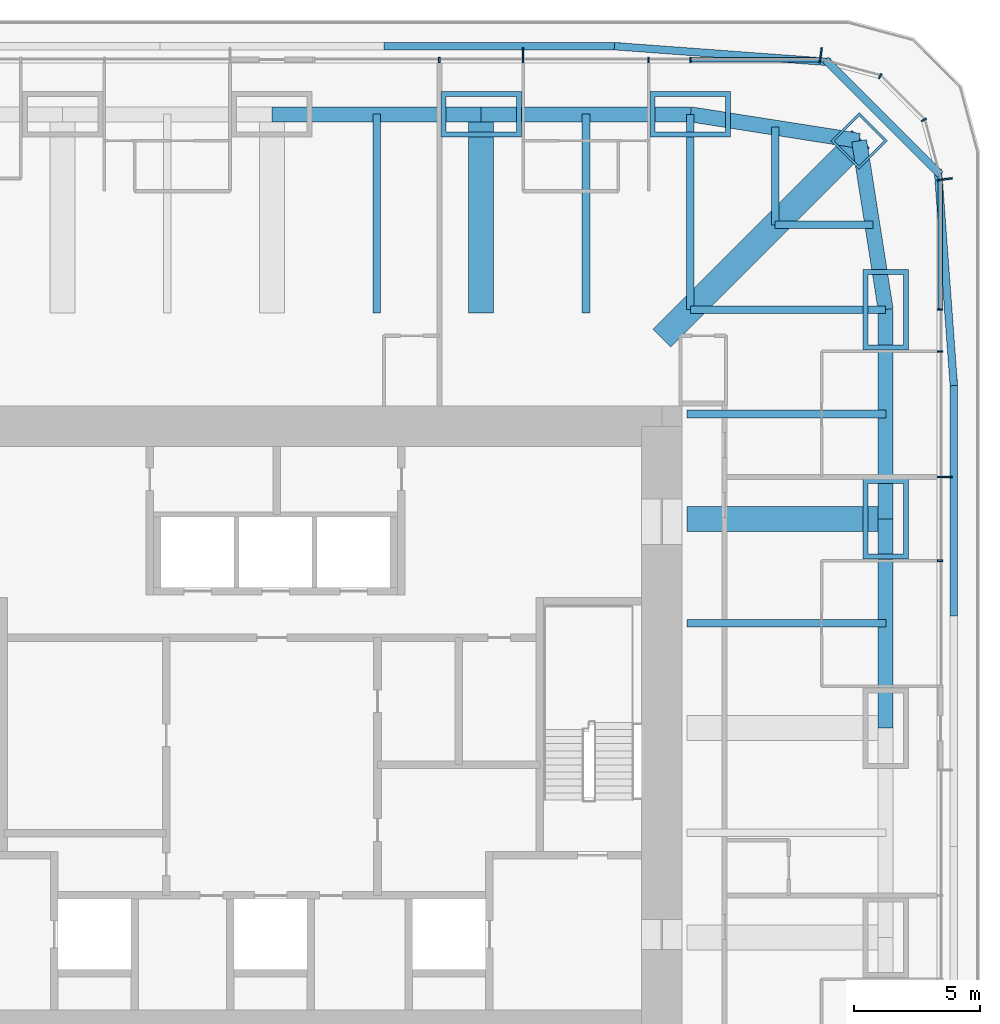
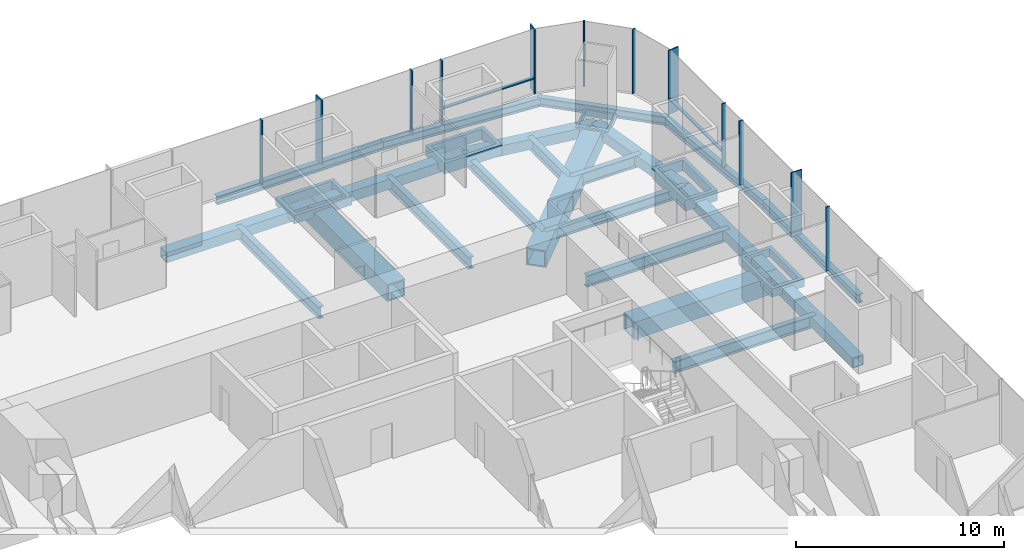
# One storey, part 6 of 15: 28 members, 13 beams, 3 elements without a shape of their own.
"""IFC4 building model written with IfcOpenShell, lengths in metres."""

from ifc_helpers import new_model, si_unit, direction, frame, origin, origin_2d, place, context, subcontext, project, spatial, rectangle, hollow_rectangle, i_section, extrude, material, material_profile, profile_set, type_object, element, aggregate, save


model = new_model("IFC4")

# Units and contexts
model_context = context("Model", 3, precision=1e-05, world=origin(), true_north=direction((0.0, 1.0)))
body_context = subcontext(model_context, "Body", "Model", "MODEL_VIEW")
ifc_project = project(units=[si_unit("LENGTHUNIT", "METRE"), si_unit("AREAUNIT", "SQUARE_METRE"), si_unit("VOLUMEUNIT", "CUBIC_METRE"), si_unit("PLANEANGLEUNIT", "RADIAN"), si_unit("MASSUNIT", "GRAM", prefix="KILO")], contexts=[model_context])

# Site, building, storey
site_placement = place(None, origin())
site = spatial("IfcSite", under=ifc_project, at=site_placement, CompositionType="ELEMENT")
building_placement = place(site_placement, origin())
building = spatial("IfcBuilding", under=site, at=building_placement, Name="Khuree Lantern Residences", CompositionType="ELEMENT")
storey_placement = place(building_placement, frame((0.0, 0.0, 199.5)))
storey = spatial("IfcBuildingStorey", under=building, at=storey_placement, Name="L49", CompositionType="ELEMENT", Elevation=199.5)

# Beams
ifc_material_1 = material(Name="Steel S355", Category="steel")
ifc_material_profile_1 = material_profile(ifc_material_1, i_section(OverallWidth=0.300048828125, OverallDepth=0.68994140625, WebThickness=0.014404296875, FlangeThickness=0.027099609375, FilletRadius=0.027099609375, at=origin_2d()), Name="HE 700 A")
ifc_profile_set_1 = profile_set([ifc_material_profile_1], Name="Steel S355")
beam_type_1 = type_object("IfcBeamType", Name="B-31 SECONDARY BEAM HE 700 A", PredefinedType="BEAM", material=ifc_profile_set_1)
for number, where, z_axis, x_axis, name in (
    (1, (4.16259765625, 24.416015625, -0.594970703125), (0.0, -1.0, 0.0), (1.0, 0.0, 0.0), "Secondary beam N3"),
    (2, (12.487548828125, 24.416015625, -0.594970703125), (0.0, -1.0, 0.0), (1.0, 0.0, 0.0), "Secondary beam N4"),
):
    element("IfcBeam", number, at=place(storey_placement, frame(where, z_axis=z_axis, x_axis=x_axis)), inside=storey, type_object=beam_type_1, Name=name, PredefinedType="BEAM", context=body_context, shape_type="SweptSolid", body=[
        extrude(i_section(OverallWidth=0.300048828125, OverallDepth=0.68994140625, WebThickness=0.014404296875, FlangeThickness=0.027099609375, FilletRadius=0.027099609375, at=origin_2d()), origin(), (0.0, 0.0, 1.0), 7.916015625),
    ])
for number, where, z_axis, x_axis, name in (
    (3, (20.005126953125, 23.88818359375, -0.594970703125), (0.0, -1.0, 0.0), (1.0, 0.0, 0.0), "Secondary beam N5"),
    (4, (23.88818359375, 20.005126953125, -0.594970703125), (-1.0, 0.0, 0.0), (0.0, -1.0, 0.0), "Secondary beam E1"),
):
    element("IfcBeam", number, at=place(storey_placement, frame(where, z_axis=z_axis, x_axis=x_axis)), inside=storey, type_object=beam_type_1, Name=name, PredefinedType="BEAM", context=body_context, shape_type="SweptSolid", body=[
        extrude(i_section(OverallWidth=0.300048828125, OverallDepth=0.68994140625, WebThickness=0.014404296875, FlangeThickness=0.027099609375, FilletRadius=0.027099609375, at=origin_2d()), origin(), (0.0, 0.0, 1.0), 3.883056640625),
    ])
for number, where, z_axis, x_axis, name in (
    (5, (24.416015625, 12.487548828125, -0.594970703125), (-1.0, 0.0, 0.0), (0.0, -1.0, 0.0), "Secondary beam E2"),
    (6, (24.416015625, 4.16259765625, -0.594970703125), (-1.0, 0.0, 0.0), (0.0, -1.0, 0.0), "Secondary beam E3"),
):
    element("IfcBeam", number, at=place(storey_placement, frame(where, z_axis=z_axis, x_axis=x_axis)), inside=storey, type_object=beam_type_1, Name=name, PredefinedType="BEAM", context=body_context, shape_type="SweptSolid", body=[
        extrude(i_section(OverallWidth=0.300048828125, OverallDepth=0.68994140625, WebThickness=0.014404296875, FlangeThickness=0.027099609375, FilletRadius=0.027099609375, at=origin_2d()), origin(), (0.0, 0.0, 1.0), 7.916015625),
    ])

# Members
ifc_material_profile_2 = material_profile(ifc_material_1, hollow_rectangle(XDim=0.60009765625, YDim=0.60009765625, WallThickness=0.050048828125, at=origin_2d()), Name="WELDED BOX 600X600X50")
ifc_profile_set_2 = profile_set([ifc_material_profile_2], Name="Steel S355")
member_type_1 = type_object("IfcMemberType", Name="BT-49 BELT TRUSS CHORD WELDED BOX 600X600X50", PredefinedType="CHORD", material=ifc_profile_set_2)
member_1_placement = place(storey_placement, frame((0.0, 24.39990234375, -0.550048828125), z_axis=(1.0, 0.0, 0.0), x_axis=(0.0, 1.0, 0.0)))
element("IfcMember", 7, at=member_1_placement, inside=storey, type_object=member_type_1, Name="Belt truss chord N3", PredefinedType="CHORD", context=body_context, shape_type="SweptSolid", body=[
    extrude(hollow_rectangle(XDim=0.60009765625, YDim=0.60009765625, WallThickness=0.050048828125, at=origin_2d()), origin(), (0.0, 0.0, 1.0), 8.320068359375),
])
member_2_placement = place(storey_placement, frame((8.320068359375, 24.39990234375, -0.550048828125), z_axis=(1.0, 0.0, 0.0), x_axis=(0.0, 1.0, 0.0)))
element("IfcMember", 8, at=member_2_placement, inside=storey, type_object=member_type_1, Name="Belt truss chord N4", PredefinedType="CHORD", context=body_context, shape_type="SweptSolid", body=[
    extrude(hollow_rectangle(XDim=0.60009765625, YDim=0.60009765625, WallThickness=0.050048828125, at=origin_2d()), origin(), (0.0, 0.0, 1.0), 8.31982421875),
])
for number, where, z_axis, x_axis, name in (
    (9, (16.639892578125, 24.39990234375, -0.550048828125), (0.98786743189, -0.155299507442, 0.0), (0.155299507442, 0.98786743189, 0.0), "Belt truss chord N5"),
    (10, (23.345703125, 23.345703125, -0.550048828125), (0.155299507442, -0.98786743189, 0.0), (0.98786743189, 0.155299507442, 0.0), "Belt truss chord E1"),
):
    element("IfcMember", number, at=place(storey_placement, frame(where, z_axis=z_axis, x_axis=x_axis)), inside=storey, type_object=member_type_1, Name=name, PredefinedType="CHORD", context=body_context, shape_type="SweptSolid", body=[
        extrude(hollow_rectangle(XDim=0.60009765625, YDim=0.60009765625, WallThickness=0.050048828125, at=origin_2d()), origin(), (0.0, 0.0, 1.0), 6.7880859375),
    ])
member_3_placement = place(storey_placement, frame((24.39990234375, 16.639892578125, -0.550048828125), z_axis=(0.0, -1.0, 0.0), x_axis=(1.0, 0.0, 0.0)))
element("IfcMember", 11, at=member_3_placement, inside=storey, type_object=member_type_1, Name="Belt truss chord E2", PredefinedType="CHORD", context=body_context, shape_type="SweptSolid", body=[
    extrude(hollow_rectangle(XDim=0.60009765625, YDim=0.60009765625, WallThickness=0.050048828125, at=origin_2d()), origin(), (0.0, 0.0, 1.0), 8.31982421875),
])
member_4_placement = place(storey_placement, frame((24.39990234375, 8.320068359375, -0.550048828125), z_axis=(0.0, -1.0, 0.0), x_axis=(1.0, 0.0, 0.0)))
element("IfcMember", 12, at=member_4_placement, inside=storey, type_object=member_type_1, Name="Belt truss chord E3", PredefinedType="CHORD", context=body_context, shape_type="SweptSolid", body=[
    extrude(hollow_rectangle(XDim=0.60009765625, YDim=0.60009765625, WallThickness=0.050048828125, at=origin_2d()), origin(), (0.0, 0.0, 1.0), 8.320068359375),
])

# Curtain wall, member
ifc_material_2 = material(Name="Bronze anodised aluminium", Category="aluminium")
curtain_wall_type_1 = type_object("IfcCurtainWallType", Name="CW-T1 TOWER FACE CURTAIN WALL", PredefinedType="USERDEFINED", material=ifc_material_2)
curtain_wall_1_placement = place(storey_placement, origin())
curtain_wall_1 = element("IfcCurtainWall", 13, at=curtain_wall_1_placement, inside=storey, type_object=curtain_wall_type_1, Name="L49 EAST FACE CURTAIN WALL", ObjectType="Stick-built curtain wall", PredefinedType="USERDEFINED")
ifc_material_profile_3 = material_profile(ifc_material_2, rectangle(XDim=0.06494140625, YDim=0.60009765625, at=origin_2d()), Name="F1 65X600")
ifc_profile_set_3 = profile_set([ifc_material_profile_3], Name="Bronze anodised aluminium")
member_type_2 = type_object("IfcMemberType", Name="F1 BRONZE FIN MULLION TOWER 65X600", PredefinedType="MULLION", material=ifc_profile_set_3)
member_5_placement = place(storey_placement, frame((26.75, 9.98388671875, 0.0), z_axis=(0.0, 0.0, 1.0), x_axis=(0.0, 1.0, 0.0)))
member_5 = element("IfcMember", 14, at=member_5_placement, type_object=member_type_2, Name="L49 EAST FACE FIN MULLION 12", PredefinedType="MULLION", context=body_context, shape_type="SweptSolid", body=[
    extrude(rectangle(XDim=0.06494140625, YDim=0.60009765625, at=origin_2d()), origin(), (0.0, 0.0, 1.0), 3.75),
])

curtain_wall_type_2 = type_object("IfcCurtainWallType", Name="CW-T2 TOWER CORNER CURTAIN WALL", PredefinedType="USERDEFINED", material=ifc_material_2)
curtain_wall_2_placement = place(storey_placement, origin())
curtain_wall_2 = element("IfcCurtainWall", 15, at=curtain_wall_2_placement, inside=storey, type_object=curtain_wall_type_2, Name="L49 NORTH-EAST CORNER CURTAIN WALL", ObjectType="Faceted corner curtain wall", PredefinedType="USERDEFINED")
member_6_placement = place(storey_placement, frame((26.75, 21.81982421875, 0.0), z_axis=(0.0, 0.0, 1.0), x_axis=(-0.130526180298, 0.991444862943, 0.0)))
member_6 = element("IfcMember", 16, at=member_6_placement, type_object=member_type_2, Name="L49 NORTH-EAST CORNER FIN MULLION 15", PredefinedType="MULLION", context=body_context, shape_type="SweptSolid", body=[
    extrude(rectangle(XDim=0.06494140625, YDim=0.60009765625, at=origin_2d()), origin(), (0.0, 0.0, 1.0), 3.75),
])

# Curtain wall, members
curtain_wall_3_placement = place(storey_placement, origin())
curtain_wall_3 = element("IfcCurtainWall", 17, at=curtain_wall_3_placement, inside=storey, type_object=curtain_wall_type_1, Name="L49 NORTH FACE CURTAIN WALL", ObjectType="Stick-built curtain wall", PredefinedType="USERDEFINED")
member_7_placement = place(storey_placement, frame((21.81982421875, 26.75, 0.0), z_axis=(0.0, 0.0, 1.0), x_axis=(-0.991444862943, 0.130526180298, 0.0)))
member_7 = element("IfcMember", 18, at=member_7_placement, type_object=member_type_2, Name="L49 NORTH FACE FIN MULLION 18", PredefinedType="MULLION", context=body_context, shape_type="SweptSolid", body=[
    extrude(rectangle(XDim=0.06494140625, YDim=0.60009765625, at=origin_2d()), origin(), (0.0, 0.0, 1.0), 3.75),
])
member_8_placement = place(storey_placement, frame((9.98388671875, 26.75, 0.0), z_axis=(0.0, 0.0, 1.0), x_axis=(-1.0, 0.0, 0.0)))
member_8 = element("IfcMember", 19, at=member_8_placement, type_object=member_type_2, Name="L49 NORTH FACE FIN MULLION 21", PredefinedType="MULLION", context=body_context, shape_type="SweptSolid", body=[
    extrude(rectangle(XDim=0.06494140625, YDim=0.60009765625, at=origin_2d()), origin(), (0.0, 0.0, 1.0), 3.75),
])

# Beams
ifc_material_profile_4 = material_profile(ifc_material_1, i_section(OverallWidth=0.300048828125, OverallDepth=0.60009765625, WebThickness=0.015380859375, FlangeThickness=0.030029296875, FilletRadius=0.027099609375, at=origin_2d()), Name="HE 600 B")
ifc_profile_set_4 = profile_set([ifc_material_profile_4], Name="Steel S355")
beam_type_2 = type_object("IfcBeamType", Name="G-31 GIRDER HE 600 B", PredefinedType="BEAM", material=ifc_profile_set_4)
for number, where, z_axis, x_axis, name in (
    (20, (16.639892578125, 24.39990234375, -0.550048828125), (0.0, -1.0, 0.0), (1.0, 0.0, 0.0), "Girder N5"),
    (21, (24.39990234375, 16.639892578125, -0.550048828125), (-1.0, 0.0, 0.0), (0.0, -1.0, 0.0), "Girder E1"),
):
    element("IfcBeam", number, at=place(storey_placement, frame(where, z_axis=z_axis, x_axis=x_axis)), inside=storey, type_object=beam_type_2, Name=name, PredefinedType="BEAM", context=body_context, shape_type="SweptSolid", body=[
        extrude(i_section(OverallWidth=0.300048828125, OverallDepth=0.60009765625, WebThickness=0.015380859375, FlangeThickness=0.030029296875, FilletRadius=0.027099609375, at=origin_2d()), origin(), (0.0, 0.0, 1.0), 7.760009765625),
    ])

# Member
ifc_material_profile_5 = material_profile(ifc_material_2, rectangle(XDim=0.06494140625, YDim=0.219970703125, at=origin_2d()), Name="M1 65X220")
ifc_profile_set_5 = profile_set([ifc_material_profile_5], Name="Bronze anodised aluminium")
member_type_3 = type_object("IfcMemberType", Name="M1 BRONZE MULLION TOWER 65X220", PredefinedType="MULLION", material=ifc_profile_set_5)
member_9_placement = place(storey_placement, frame((26.56005859375, 6.656005859375, 0.0), z_axis=(0.0, 0.0, 1.0), x_axis=(0.0, 1.0, 0.0)))
member_9 = element("IfcMember", 22, at=member_9_placement, type_object=member_type_3, Name="L49 EAST FACE MULLION 11", PredefinedType="MULLION", context=body_context, shape_type="SweptSolid", body=[
    extrude(rectangle(XDim=0.06494140625, YDim=0.219970703125, at=origin_2d()), origin(), (0.0, 0.0, 1.0), 3.75),
])

member_10_placement = place(storey_placement, frame((26.56005859375, 14.97607421875, 0.0), z_axis=(0.0, 0.0, 1.0), x_axis=(0.0, 1.0, 0.0)))
member_10 = element("IfcMember", 23, at=member_10_placement, type_object=member_type_3, Name="L49 EAST FACE MULLION 13", PredefinedType="MULLION", context=body_context, shape_type="SweptSolid", body=[
    extrude(rectangle(XDim=0.06494140625, YDim=0.219970703125, at=origin_2d()), origin(), (0.0, 0.0, 1.0), 3.75),
])

member_11_placement = place(storey_placement, frame((26.56005859375, 16.639892578125, 0.0), z_axis=(0.0, 0.0, 1.0), x_axis=(0.0, 1.0, 0.0)))
member_11 = element("IfcMember", 24, at=member_11_placement, type_object=member_type_3, Name="L49 EAST FACE MULLION 14", PredefinedType="MULLION", context=body_context, shape_type="SweptSolid", body=[
    extrude(rectangle(XDim=0.06494140625, YDim=0.219970703125, at=origin_2d()), origin(), (0.0, 0.0, 1.0), 3.75),
])

member_12_placement = place(storey_placement, frame((25.92236328125, 24.179931640625, 0.0), z_axis=(0.0, 0.0, 1.0), x_axis=(-0.499999989586, 0.866025409797, 0.0)))
member_12 = element("IfcMember", 25, at=member_12_placement, type_object=member_type_3, Name="L49 NORTH-EAST CORNER MULLION 16", PredefinedType="MULLION", context=body_context, shape_type="SweptSolid", body=[
    extrude(rectangle(XDim=0.06494140625, YDim=0.219970703125, at=origin_2d()), origin(), (0.0, 0.0, 1.0), 3.75),
])

member_13_placement = place(storey_placement, frame((24.179931640625, 25.92236328125, 0.0), z_axis=(0.0, 0.0, 1.0), x_axis=(-0.866025409797, 0.499999989586, 0.0)))
member_13 = element("IfcMember", 26, at=member_13_placement, type_object=member_type_3, Name="L49 NORTH-EAST CORNER MULLION 17", PredefinedType="MULLION", context=body_context, shape_type="SweptSolid", body=[
    extrude(rectangle(XDim=0.06494140625, YDim=0.219970703125, at=origin_2d()), origin(), (0.0, 0.0, 1.0), 3.75),
])

aggregate(curtain_wall_2, [member_6, member_12, member_13])

member_14_placement = place(storey_placement, frame((16.639892578125, 26.56005859375, 0.0), z_axis=(0.0, 0.0, 1.0), x_axis=(-1.0, 0.0, 0.0)))
member_14 = element("IfcMember", 27, at=member_14_placement, type_object=member_type_3, Name="L49 NORTH FACE MULLION 19", PredefinedType="MULLION", context=body_context, shape_type="SweptSolid", body=[
    extrude(rectangle(XDim=0.06494140625, YDim=0.219970703125, at=origin_2d()), origin(), (0.0, 0.0, 1.0), 3.75),
])

member_15_placement = place(storey_placement, frame((14.97607421875, 26.56005859375, 0.0), z_axis=(0.0, 0.0, 1.0), x_axis=(-1.0, 0.0, 0.0)))
member_15 = element("IfcMember", 28, at=member_15_placement, type_object=member_type_3, Name="L49 NORTH FACE MULLION 20", PredefinedType="MULLION", context=body_context, shape_type="SweptSolid", body=[
    extrude(rectangle(XDim=0.06494140625, YDim=0.219970703125, at=origin_2d()), origin(), (0.0, 0.0, 1.0), 3.75),
])

member_16_placement = place(storey_placement, frame((6.656005859375, 26.56005859375, 0.0), z_axis=(0.0, 0.0, 1.0), x_axis=(-1.0, 0.0, 0.0)))
member_16 = element("IfcMember", 29, at=member_16_placement, type_object=member_type_3, Name="L49 NORTH FACE MULLION 22", PredefinedType="MULLION", context=body_context, shape_type="SweptSolid", body=[
    extrude(rectangle(XDim=0.06494140625, YDim=0.219970703125, at=origin_2d()), origin(), (0.0, 0.0, 1.0), 3.75),
])

# Members
ifc_material_3 = material(Name="Steel S355 CFT welded box", Category="steel")
ifc_material_profile_6 = material_profile(ifc_material_3, hollow_rectangle(XDim=3.199951171875, YDim=1.800048828125, WallThickness=0.199951171875, at=origin_2d()), Name="WELDED BOX 3200X1800X200")
ifc_profile_set_6 = profile_set([ifc_material_profile_6], Name="Steel S355 CFT welded box")
member_type_4 = type_object("IfcMemberType", Name="MN MEGA COLUMN NODE WELDED BOX 3200X1800X200", PredefinedType="MEMBER", material=ifc_profile_set_6)
member_17_placement = place(storey_placement, frame((8.320068359375, 24.39990234375, -0.550048828125), z_axis=(0.0, 0.0, 1.0), x_axis=(1.0, 0.0, 0.0)))
element("IfcMember", 30, at=member_17_placement, inside=storey, type_object=member_type_4, Name="Mega column node N4", PredefinedType="MEMBER", context=body_context, shape_type="SweptSolid", body=[
    extrude(hollow_rectangle(XDim=3.199951171875, YDim=1.800048828125, WallThickness=0.199951171875, at=origin_2d()), origin(), (0.0, 0.0, 1.0), 0.47998046875),
])
for number, where, z_axis, x_axis, name in (
    (31, (16.639892578125, 24.39990234375, -0.550048828125), (0.0, 0.0, 1.0), (1.0, 0.0, 0.0), "Mega column node N5"),
    (32, (24.39990234375, 16.639892578125, -0.550048828125), (0.0, 0.0, 1.0), (0.0, 1.0, 0.0), "Mega column node E1"),
):
    element("IfcMember", number, at=place(storey_placement, frame(where, z_axis=z_axis, x_axis=x_axis)), inside=storey, type_object=member_type_4, Name=name, PredefinedType="MEMBER", context=body_context, shape_type="SweptSolid", body=[
        extrude(hollow_rectangle(XDim=3.199951171875, YDim=1.800048828125, WallThickness=0.199951171875, at=origin_2d()), origin(), (0.0, 0.0, 1.0), 0.630126953125),
    ])
member_18_placement = place(storey_placement, frame((24.39990234375, 8.320068359375, -0.550048828125), z_axis=(0.0, 0.0, 1.0), x_axis=(0.0, 1.0, 0.0)))
element("IfcMember", 33, at=member_18_placement, inside=storey, type_object=member_type_4, Name="Mega column node E2", PredefinedType="MEMBER", context=body_context, shape_type="SweptSolid", body=[
    extrude(hollow_rectangle(XDim=3.199951171875, YDim=1.800048828125, WallThickness=0.199951171875, at=origin_2d()), origin(), (0.0, 0.0, 1.0), 0.47998046875),
])
ifc_material_profile_7 = material_profile(ifc_material_3, hollow_rectangle(XDim=1.60009765625, YDim=1.60009765625, WallThickness=0.10009765625, at=origin_2d()), Name="WELDED BOX 1600X1600X100")
ifc_profile_set_7 = profile_set([ifc_material_profile_7], Name="Steel S355 CFT welded box")
member_type_5 = type_object("IfcMemberType", Name="MNA MEGA COLUMN NODE WELDED BOX 1600X1600X100", PredefinedType="MEMBER", material=ifc_profile_set_7)
member_19_placement = place(storey_placement, frame((23.345703125, 23.345703125, -0.550048828125), z_axis=(0.0, 0.0, 1.0), x_axis=(0.707106781187, -0.707106781187, 0.0)))
element("IfcMember", 34, at=member_19_placement, inside=storey, type_object=member_type_5, Name="Mega column node NE", PredefinedType="MEMBER", context=body_context, shape_type="SweptSolid", body=[
    extrude(hollow_rectangle(XDim=1.60009765625, YDim=1.60009765625, WallThickness=0.10009765625, at=origin_2d()), origin(), (0.0, 0.0, 1.0), 0.360107421875),
])
ifc_material_profile_8 = material_profile(ifc_material_1, hollow_rectangle(XDim=1.0, YDim=1.0, WallThickness=0.080078125, at=origin_2d()), Name="WELDED BOX 1000X1000X80")
ifc_profile_set_8 = profile_set([ifc_material_profile_8], Name="Steel S355")
member_type_6 = type_object("IfcMemberType", Name="OT-49 OUTRIGGER TRUSS CHORD WELDED BOX 1000X1000X80", PredefinedType="CHORD", material=ifc_profile_set_8)
for number, where, z_axis, x_axis, name in (
    (35, (8.320068359375, 24.39990234375, -0.75), (0.0, -1.0, 0.0), (1.0, 0.0, 0.0), "Outrigger chord N4"),
    (36, (24.39990234375, 8.320068359375, -0.75), (-1.0, 0.0, 0.0), (0.0, -1.0, 0.0), "Outrigger chord E2"),
):
    element("IfcMember", number, at=place(storey_placement, frame(where, z_axis=z_axis, x_axis=x_axis)), inside=storey, type_object=member_type_6, Name=name, PredefinedType="CHORD", context=body_context, shape_type="SweptSolid", body=[
        extrude(hollow_rectangle(XDim=1.0, YDim=1.0, WallThickness=0.080078125, at=origin_2d()), origin(), (0.0, 0.0, 1.0), 7.89990234375),
    ])
member_20_placement = place(storey_placement, frame((23.412109375, 23.412109375, -0.75), z_axis=(-0.707106781187, -0.707106781187, 0.0), x_axis=(0.707106781187, -0.707106781187, 0.0)))
element("IfcMember", 37, at=member_20_placement, inside=storey, type_object=member_type_6, Name="Outrigger chord NE", PredefinedType="CHORD", context=body_context, shape_type="SweptSolid", body=[
    extrude(hollow_rectangle(XDim=1.0, YDim=1.0, WallThickness=0.080078125, at=origin_2d()), origin(), (0.0, 0.0, 1.0), 11.189453125),
])

# Beams
ifc_material_profile_9 = material_profile(ifc_material_1, i_section(OverallWidth=0.300048828125, OverallDepth=0.5, WebThickness=0.014404296875, FlangeThickness=0.028076171875, FilletRadius=0.027099609375, at=origin_2d()), Name="HE 500 B")
ifc_profile_set_9 = profile_set([ifc_material_profile_9], Name="Steel S355")
beam_type_3 = type_object("IfcBeamType", Name="TB1 TERRACE EDGE BEAM HE 500 B", PredefinedType="BEAM", material=ifc_profile_set_9)
beam_1_placement = place(storey_placement, frame((4.455078125, 27.10009765625, -0.5), z_axis=(1.0, 0.0, 0.0), x_axis=(0.0, 1.0, 0.0)))
element("IfcBeam", 38, at=beam_1_placement, inside=storey, type_object=beam_type_3, Name="Terrace edge beam N3", PredefinedType="BEAM", context=body_context, shape_type="SweptSolid", body=[
    extrude(i_section(OverallWidth=0.300048828125, OverallDepth=0.5, WebThickness=0.014404296875, FlangeThickness=0.028076171875, FilletRadius=0.027099609375, at=origin_2d()), origin(), (0.0, 0.0, 1.0), 9.409912109375),
])
beam_2_placement = place(storey_placement, frame((13.615234375, 27.109130859375, -0.5), z_axis=(0.997302235715, -0.073404704465, 0.0), x_axis=(0.073404704465, 0.997302235715, 0.0)))
element("IfcBeam", 39, at=beam_2_placement, inside=storey, type_object=beam_type_3, Name="Terrace edge beam N4", PredefinedType="BEAM", context=body_context, shape_type="SweptSolid", body=[
    extrude(i_section(OverallWidth=0.300048828125, OverallDepth=0.5, WebThickness=0.014404296875, FlangeThickness=0.028076171875, FilletRadius=0.027099609375, at=origin_2d()), origin(), (0.0, 0.0, 1.0), 8.62744140625),
])
beam_3_placement = place(storey_placement, frame((22.006591796875, 26.5732421875, -0.5), z_axis=(0.707106781187, -0.707106781187, 0.0), x_axis=(0.707106781187, 0.707106781187, 0.0)))
element("IfcBeam", 40, at=beam_3_placement, inside=storey, type_object=beam_type_3, Name="Terrace edge beam N5", PredefinedType="BEAM", context=body_context, shape_type="SweptSolid", body=[
    extrude(i_section(OverallWidth=0.300048828125, OverallDepth=0.5, WebThickness=0.014404296875, FlangeThickness=0.028076171875, FilletRadius=0.027099609375, at=origin_2d()), origin(), (0.0, 0.0, 1.0), 6.458251953125),
])
beam_4_placement = place(storey_placement, frame((26.475830078125, 22.219482421875, -0.5), z_axis=(0.073404704465, -0.997302235715, 0.0), x_axis=(0.997302235715, 0.073404704465, 0.0)))
element("IfcBeam", 41, at=beam_4_placement, inside=storey, type_object=beam_type_3, Name="Terrace edge beam E1", PredefinedType="BEAM", context=body_context, shape_type="SweptSolid", body=[
    extrude(i_section(OverallWidth=0.300048828125, OverallDepth=0.5, WebThickness=0.014404296875, FlangeThickness=0.028076171875, FilletRadius=0.027099609375, at=origin_2d()), origin(), (0.0, 0.0, 1.0), 8.62744140625),
])
beam_5_placement = place(storey_placement, frame((27.10009765625, 13.864990234375, -0.5), z_axis=(0.0, -1.0, 0.0), x_axis=(1.0, 0.0, 0.0)))
element("IfcBeam", 42, at=beam_5_placement, inside=storey, type_object=beam_type_3, Name="Terrace edge beam E2", PredefinedType="BEAM", context=body_context, shape_type="SweptSolid", body=[
    extrude(i_section(OverallWidth=0.300048828125, OverallDepth=0.5, WebThickness=0.014404296875, FlangeThickness=0.028076171875, FilletRadius=0.027099609375, at=origin_2d()), origin(), (0.0, 0.0, 1.0), 9.409912109375),
])

# Member
ifc_material_profile_10 = material_profile(ifc_material_2, rectangle(XDim=0.179931640625, YDim=0.06494140625, at=origin_2d()), Name="T1 180X65")
ifc_profile_set_10 = profile_set([ifc_material_profile_10], Name="Bronze anodised aluminium")
member_type_7 = type_object("IfcMemberType", Name="TRANSOM T1 TOWER 180X65", PredefinedType="USERDEFINED", material=ifc_profile_set_10)
member_21_placement = place(storey_placement, frame((26.570068359375, 16.672607421875, 0.89990234375), z_axis=(0.0, 1.0, 0.0), x_axis=(-1.0, 0.0, 0.0)))
member_21 = element("IfcMember", 43, at=member_21_placement, type_object=member_type_7, Name="L49 EAST FACE TRANSOM 14.1", ObjectType="Transom", PredefinedType="USERDEFINED", context=body_context, shape_type="SweptSolid", body=[
    extrude(rectangle(XDim=0.179931640625, YDim=0.06494140625, at=origin_2d()), origin(), (0.0, 0.0, 1.0), 5.078857421875),
])

aggregate(curtain_wall_1, [member_9, member_5, member_10, member_11, member_21])

member_22_placement = place(storey_placement, frame((21.75146484375, 26.570068359375, 0.89990234375), z_axis=(-1.0, 0.0, 0.0), x_axis=(0.0, -1.0, 0.0)))
member_22 = element("IfcMember", 44, at=member_22_placement, type_object=member_type_7, Name="L49 NORTH FACE TRANSOM 18.1", ObjectType="Transom", PredefinedType="USERDEFINED", context=body_context, shape_type="SweptSolid", body=[
    extrude(rectangle(XDim=0.179931640625, YDim=0.06494140625, at=origin_2d()), origin(), (0.0, 0.0, 1.0), 5.078857421875),
])

aggregate(curtain_wall_3, [member_7, member_14, member_15, member_8, member_16, member_22])

save(model, "model.ifc")
